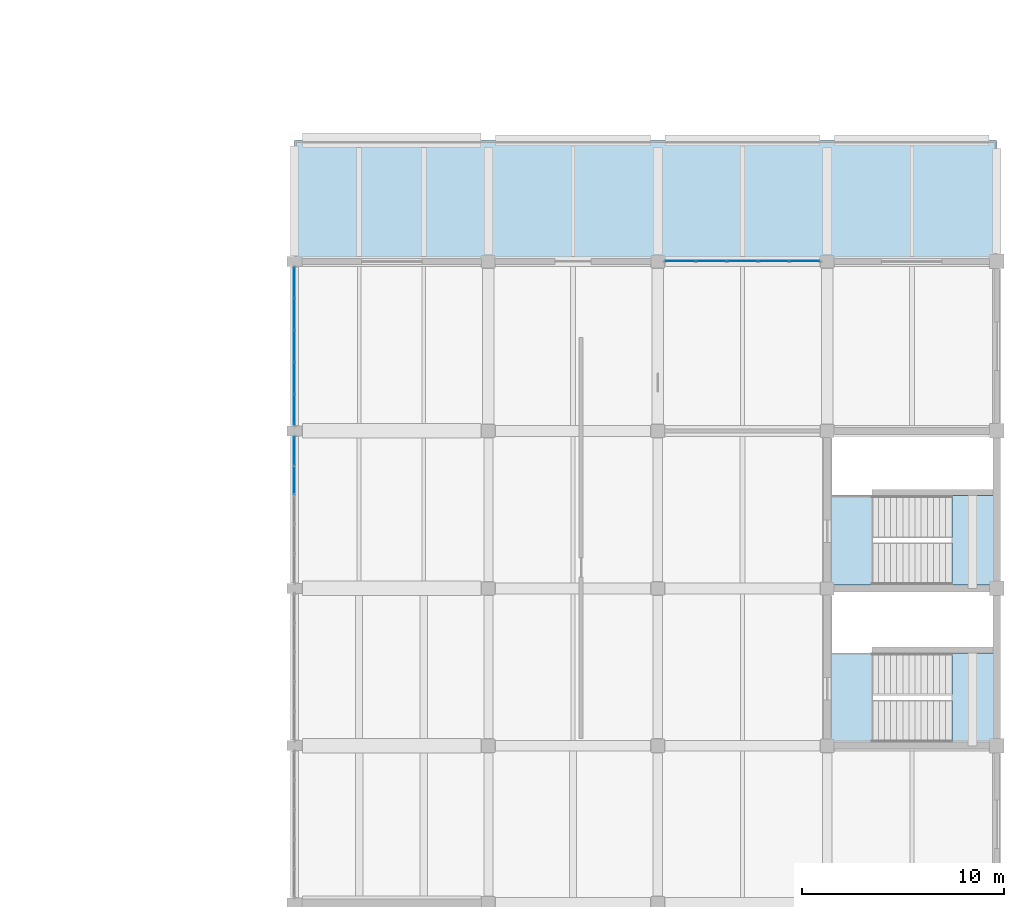
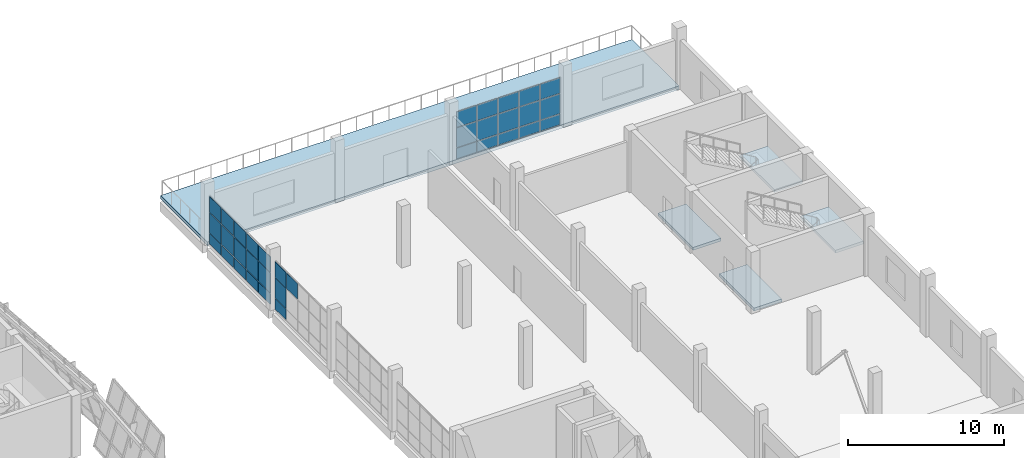
# One storey, part 59 of 79: 34 plates, 5 slabs, 5 elements without a shape of their own.
"""IFC4 building model written with IfcOpenShell, lengths in metres."""

import ifcopenshell
import ifcopenshell.guid

model = None  # the IFC model being written
_history = None  # IfcOwnerHistory: only IFC2X3 demands one
_inside = {}  # id of a spatial element -> (the spatial element, [elements in it])
_under = {}  # id of a project, library or spatial element -> (it, [spatial elements below it])
_declared = {}  # id of a project -> (the project, [libraries it declares])
_typed = {}  # id of a type object -> (the type object, [elements of that type])
_made_of = {}  # id of a material, layer set ... -> (it, [elements and type objects made of it])


def new_model(schema):
    """Start an empty IFC model of exactly this schema.

    Asked for "IFC4X3", IfcOpenShell would pick the latest addendum, in which some entities
    have other attributes; the version numbers below select the first issue.
    IFC2X3 requires an IfcOwnerHistory on every rooted entity: one is made here for all.
    """
    global model, _history
    if schema == "IFC4X3":
        model = ifcopenshell.file(schema_version=(4, 3, 0, 0))
    else:
        model = ifcopenshell.file(schema=schema)
    _inside.clear()
    _under.clear()
    _declared.clear()
    _typed.clear()
    _made_of.clear()
    _history = None
    if model.schema == "IFC2X3":
        org = make("IfcOrganization", Name="unknown")
        user = make(
            "IfcPersonAndOrganization",
            ThePerson=make("IfcPerson", FamilyName="unknown"),
            TheOrganization=org,
        )
        app = make(
            "IfcApplication",
            ApplicationDeveloper=org,
            Version="unknown",
            ApplicationFullName="unknown",
            ApplicationIdentifier="unknown",
        )
        _history = make(
            "IfcOwnerHistory",
            OwningUser=user,
            OwningApplication=app,
            ChangeAction="ADDED",
            CreationDate=0,
        )
    return model


def make(cls, **values):
    """One entity of the class cls with the attributes given. An attribute that is None is left unset."""
    return model.create_entity(
        cls, **{name: value for name, value in values.items() if value is not None}
    )


def rooted(cls, **values):
    """An entity with a GlobalId (a new one), such as an element, a storey or a relation."""
    return make(cls, GlobalId=ifcopenshell.guid.new(), OwnerHistory=_history, **values)


def si_unit(unit_type, name, prefix=None):
    """IfcSIUnit, for example si_unit("LENGTHUNIT", "METRE", prefix="MILLI")."""
    return make("IfcSIUnit", UnitType=unit_type, Prefix=prefix, Name=name)


def assignment(units):
    """IfcUnitAssignment: the units of a project."""
    return None if units is None else make("IfcUnitAssignment", Units=units)


def point(xyz):
    """IfcCartesianPoint."""
    return None if xyz is None else make("IfcCartesianPoint", Coordinates=xyz)


def direction(xyz):
    """IfcDirection."""
    return None if xyz is None else make("IfcDirection", DirectionRatios=xyz)


def frame(location, z_axis=None, x_axis=None):
    """IfcAxis2Placement3D, a coordinate frame: its origin and axes. An axis left out is left unset."""
    return make(
        "IfcAxis2Placement3D",
        Location=point(location),
        Axis=direction(z_axis),
        RefDirection=direction(x_axis),
    )


def origin():
    """The frame at (0, 0, 0) with its axes left unset."""
    return frame((0.0, 0.0, 0.0))


def place(relative_to, where):
    """IfcLocalPlacement: puts the frame where relative to a parent placement (None: the world)."""
    return make(
        "IfcLocalPlacement", PlacementRelTo=relative_to, RelativePlacement=where
    )


def context(
    kind, dimensions, precision=None, world=None, true_north=None, identifier=None
):
    """IfcGeometricRepresentationContext, for example the 3D "Model" context."""
    return make(
        "IfcGeometricRepresentationContext",
        ContextIdentifier=identifier,
        ContextType=kind,
        CoordinateSpaceDimension=dimensions,
        Precision=precision,
        WorldCoordinateSystem=world,
        TrueNorth=true_north,
    )


def subcontext(parent, identifier, kind, view, scale=None):
    """IfcGeometricRepresentationSubContext, for example "Body" below "Model"."""
    return make(
        "IfcGeometricRepresentationSubContext",
        ContextIdentifier=identifier,
        ContextType=kind,
        ParentContext=parent,
        TargetScale=scale,
        TargetView=view,
    )


def project(units=None, contexts=None):
    """IfcProject with its units and contexts."""
    return rooted(
        "IfcProject",
        Name="project",
        RepresentationContexts=contexts,
        UnitsInContext=assignment(units),
    )


def spatial(cls, under=None, at=None, **own):
    """A site, building, storey or space (cls), placed at a placement, below another one or the project."""
    s = rooted(cls, ObjectPlacement=at, **own)
    if under is not None:
        _under.setdefault(under.id(), (under, []))[1].append(s)
    return s


def polyline(points):
    """IfcPolyline through the points."""
    return make("IfcPolyline", Points=[point(p) for p in points])


def outline(outer, holes=None, kind="AREA"):
    """IfcArbitraryClosedProfileDef: a profile drawn as a closed curve; with holes, ...WithVoids."""
    if holes is None:
        return make("IfcArbitraryClosedProfileDef", ProfileType=kind, OuterCurve=outer)
    return make(
        "IfcArbitraryProfileDefWithVoids",
        ProfileType=kind,
        OuterCurve=outer,
        InnerCurves=holes,
    )


def extrude(swept, where, along, depth):
    """IfcExtrudedAreaSolid: the profile swept, set in the frame where, extruded along a direction by depth."""
    return make(
        "IfcExtrudedAreaSolid",
        SweptArea=swept,
        Position=where,
        ExtrudedDirection=direction(along),
        Depth=depth,
    )


def shape(context_of_items, identifier, shape_type, items):
    """IfcShapeRepresentation: the items that make up one representation, for example the "Body"."""
    return make(
        "IfcShapeRepresentation",
        ContextOfItems=context_of_items,
        RepresentationIdentifier=identifier,
        RepresentationType=shape_type,
        Items=items,
    )


def material(Name=None, Category=None):
    """IfcMaterial."""
    return make("IfcMaterial", Name=Name, Category=Category)


def layer(
    of_material, thickness, ventilated=None, Name=None, Category=None, Priority=None
):
    """IfcMaterialLayer: one layer of a wall or slab, of a material (None: an air gap)."""
    return make(
        "IfcMaterialLayer",
        Material=of_material,
        LayerThickness=thickness,
        IsVentilated=ventilated,
        Name=Name,
        Category=Category,
        Priority=Priority,
    )


def layer_set(layers, Name=None):
    """IfcMaterialLayerSet."""
    return make("IfcMaterialLayerSet", MaterialLayers=layers, LayerSetName=Name)


def made_of(thing, what):
    """Note that an element or type object is made of a material, layer set ...; save() writes the relation."""
    if what is not None:
        _made_of.setdefault(what.id(), (what, []))[1].append(thing)
    return thing


def type_object(cls, material=None, **own):
    """A type object (cls), such as IfcWallType, which elements share."""
    return made_of(rooted(cls, **own), material)


def element(
    cls,
    number,
    at=None,
    inside=None,
    cuts=None,
    type_object=None,
    material=None,
    context=None,
    identifier="Body",
    shape_type=None,
    held_by="IfcProductDefinitionShape",
    body=None,
    shapes=None,
    **own,
):
    """One element of the class cls, such as IfcWall. Its Tag is "e" and its number.

    at: its placement. inside: the storey or other place that contains it. cuts: it is an
    opening in that element (IfcRelVoidsElement). A single representation is given by context,
    identifier, shape_type and body (its items); several are given by shapes. held_by: the class
    of the entity that holds the representations. save() writes the other relations.
    """
    e = rooted(cls, Tag="e%d" % number, ObjectPlacement=at, **own)
    if body is not None:
        shapes = [shape(context, identifier, shape_type, body)]
    if shapes is not None:
        e.Representation = make(held_by, Representations=shapes)
    if inside is not None:
        _inside.setdefault(inside.id(), (inside, []))[1].append(e)
    if cuts is not None:
        rooted(
            "IfcRelVoidsElement", RelatingBuildingElement=cuts, RelatedOpeningElement=e
        )
    if type_object is not None:
        _typed.setdefault(type_object.id(), (type_object, []))[1].append(e)
    return made_of(e, material)


def aggregate(whole, parts):
    """IfcRelAggregates: a whole, such as a stair, and the parts it consists of."""
    return rooted("IfcRelAggregates", RelatingObject=whole, RelatedObjects=parts)


def save(model, path):
    """Write the relations noted so far, then the file.

    IfcRelAggregates (storeys below a building ...), IfcRelContainedInSpatialStructure (elements
    in a storey), IfcRelDefinesByType, IfcRelAssociatesMaterial and IfcRelDeclares: one each for
    every whole, place, type object, material and project.
    """
    for whole, parts in _under.values():
        aggregate(whole, parts)
    for where, things in _inside.values():
        rooted(
            "IfcRelContainedInSpatialStructure",
            RelatedElements=things,
            RelatingStructure=where,
        )
    for kind, things in _typed.values():
        rooted("IfcRelDefinesByType", RelatedObjects=things, RelatingType=kind)
    for what, things in _made_of.values():
        rooted("IfcRelAssociatesMaterial", RelatedObjects=things, RelatingMaterial=what)
    for by, libraries in _declared.values():
        rooted("IfcRelDeclares", RelatingContext=by, RelatedDefinitions=libraries)
    model.write(path)


model = new_model("IFC4")

# Units and contexts
model_context = context("Model", 3, precision=1e-05, world=origin(), true_north=direction((0.0, 1.0)))
body_context = subcontext(model_context, "Body", "Model", "MODEL_VIEW")
ifc_project = project(units=[si_unit("LENGTHUNIT", "METRE"), si_unit("AREAUNIT", "SQUARE_METRE"), si_unit("VOLUMEUNIT", "CUBIC_METRE"), si_unit("PLANEANGLEUNIT", "RADIAN"), si_unit("MASSUNIT", "GRAM", prefix="KILO")], contexts=[model_context])

# Site, building, storey
site_placement = place(None, origin())
site = spatial("IfcSite", under=ifc_project, at=site_placement, CompositionType="ELEMENT")
building_placement = place(site_placement, origin())
building = spatial("IfcBuilding", under=site, at=building_placement, Name="Pellamere Symphony Hall", CompositionType="ELEMENT")
storey_placement = place(building_placement, frame((0.0, 0.0, 10.199951171875)))
storey = spatial("IfcBuildingStorey", under=building, at=storey_placement, Name="L02", CompositionType="ELEMENT", Elevation=10.199951171875)

# Curtain wall, plates
ifc_material_1 = material(Name="Thermally Broken Anodised Aluminium 6063-T6 Curtain Wall", Category="aluminium")
curtain_wall_type = type_object("IfcCurtainWallType", Name="Curtain Wall CW-05 (Artists Wing North Studio Ribbon Curtain Wall)", PredefinedType="NOTDEFINED", material=ifc_material_1)
curtain_wall_1_placement = place(storey_placement, origin())
curtain_wall_1 = element("IfcCurtainWall", 1, at=curtain_wall_1_placement, inside=storey, type_object=curtain_wall_type, Name="Artists Wing North Studio Curtain Wall (L02 Bay 2)", PredefinedType="NOTDEFINED")
ifc_material_2 = material(Name="Triple Low-E Argon Acoustic Glazing 36mm", Category="glass")
ifc_layer_1 = layer(ifc_material_2, 0.035888671875, Name="Triple Low-E Argon Acoustic Glazing 36mm")
ifc_layer_set_1 = layer_set([ifc_layer_1], Name="Triple Low-E Argon Acoustic Glazing 36mm")
plate_type = type_object("IfcPlateType", Name="Facade Panel GL-01 36mm", PredefinedType="CURTAIN_PANEL", material=ifc_layer_set_1)
plate_1_placement = place(storey_placement, frame((156.385009765625, 93.60009765625, 0.06005859375), z_axis=(0.0, -1.0, 0.0), x_axis=(1.0, 0.0, 0.0)))
plate_1 = element("IfcPlate", 2, at=plate_1_placement, type_object=plate_type, Name="CW5-136 crystal glass panel 1.1", PredefinedType="CURTAIN_PANEL", context=body_context, shape_type="SweptSolid", body=[
    extrude(outline(polyline([(0.0, 0.0), (1.4599609375, 0.0), (1.4599609375, 0.814697265625), (0.0, 0.814697265625), (0.0, 0.0)])), origin(), (0.0, 0.0, -1.0), 0.035888671875),
])
plate_2_placement = place(storey_placement, frame((156.385009765625, 93.60009765625, 0.934814453125), z_axis=(0.0, -1.0, 0.0), x_axis=(1.0, 0.0, 0.0)))
plate_2 = element("IfcPlate", 3, at=plate_2_placement, type_object=plate_type, Name="CW5-136 crystal glass panel 1.2", PredefinedType="CURTAIN_PANEL", context=body_context, shape_type="SweptSolid", body=[
    extrude(outline(polyline([(0.0, 0.0), (1.4599609375, 0.0), (1.4599609375, 1.5234375), (0.0, 1.5234375), (0.0, 0.0)])), origin(), (0.0, 0.0, -1.0), 0.035888671875),
])
plate_3_placement = place(storey_placement, frame((156.385009765625, 93.60009765625, 2.518310546875), z_axis=(0.0, -1.0, 0.0), x_axis=(1.0, 0.0, 0.0)))
plate_3 = element("IfcPlate", 4, at=plate_3_placement, type_object=plate_type, Name="CW5-136 crystal glass panel 1.3", PredefinedType="CURTAIN_PANEL", context=body_context, shape_type="SweptSolid", body=[
    extrude(outline(polyline([(0.0, 0.0), (1.4599609375, 0.0), (1.4599609375, 1.191650390625), (0.0, 1.191650390625), (0.0, 0.0)])), origin(), (0.0, 0.0, -1.0), 0.035888671875),
])
plate_4_placement = place(storey_placement, frame((157.905029296875, 93.60009765625, 0.06005859375), z_axis=(0.0, -1.0, 0.0), x_axis=(1.0, 0.0, 0.0)))
plate_4 = element("IfcPlate", 5, at=plate_4_placement, type_object=plate_type, Name="CW5-136 crystal glass panel 2.1", PredefinedType="CURTAIN_PANEL", context=body_context, shape_type="SweptSolid", body=[
    extrude(outline(polyline([(0.0, 0.0), (1.489990234375, 0.0), (1.489990234375, 0.814697265625), (0.0, 0.814697265625), (0.0, 0.0)])), origin(), (0.0, 0.0, -1.0), 0.035888671875),
])
plate_5_placement = place(storey_placement, frame((157.905029296875, 93.60009765625, 0.934814453125), z_axis=(0.0, -1.0, 0.0), x_axis=(1.0, 0.0, 0.0)))
plate_5 = element("IfcPlate", 6, at=plate_5_placement, type_object=plate_type, Name="CW5-136 crystal glass panel 2.2", PredefinedType="CURTAIN_PANEL", context=body_context, shape_type="SweptSolid", body=[
    extrude(outline(polyline([(0.0, 0.0), (1.489990234375, 0.0), (1.489990234375, 1.5234375), (0.0, 1.5234375), (0.0, 0.0)])), origin(), (0.0, 0.0, -1.0), 0.035888671875),
])
plate_6_placement = place(storey_placement, frame((157.905029296875, 93.60009765625, 2.518310546875), z_axis=(0.0, -1.0, 0.0), x_axis=(1.0, 0.0, 0.0)))
plate_6 = element("IfcPlate", 7, at=plate_6_placement, type_object=plate_type, Name="CW5-136 crystal glass panel 2.3", PredefinedType="CURTAIN_PANEL", context=body_context, shape_type="SweptSolid", body=[
    extrude(outline(polyline([(0.0, 0.0), (1.489990234375, 0.0), (1.489990234375, 1.191650390625), (0.0, 1.191650390625), (0.0, 0.0)])), origin(), (0.0, 0.0, -1.0), 0.035888671875),
])
plate_7_placement = place(storey_placement, frame((159.455078125, 93.60009765625, 0.06005859375), z_axis=(0.0, -1.0, 0.0), x_axis=(1.0, 0.0, 0.0)))
plate_7 = element("IfcPlate", 8, at=plate_7_placement, type_object=plate_type, Name="CW5-136 crystal glass panel 3.1", PredefinedType="CURTAIN_PANEL", context=body_context, shape_type="SweptSolid", body=[
    extrude(outline(polyline([(0.0, 0.0), (1.489990234375, 0.0), (1.489990234375, 0.814697265625), (0.0, 0.814697265625), (0.0, 0.0)])), origin(), (0.0, 0.0, -1.0), 0.035888671875),
])
plate_8_placement = place(storey_placement, frame((159.455078125, 93.60009765625, 0.934814453125), z_axis=(0.0, -1.0, 0.0), x_axis=(1.0, 0.0, 0.0)))
plate_8 = element("IfcPlate", 9, at=plate_8_placement, type_object=plate_type, Name="CW5-136 crystal glass panel 3.2", PredefinedType="CURTAIN_PANEL", context=body_context, shape_type="SweptSolid", body=[
    extrude(outline(polyline([(0.0, 0.0), (1.489990234375, 0.0), (1.489990234375, 1.5234375), (0.0, 1.5234375), (0.0, 0.0)])), origin(), (0.0, 0.0, -1.0), 0.035888671875),
])
plate_9_placement = place(storey_placement, frame((159.455078125, 93.60009765625, 2.518310546875), z_axis=(0.0, -1.0, 0.0), x_axis=(1.0, 0.0, 0.0)))
plate_9 = element("IfcPlate", 10, at=plate_9_placement, type_object=plate_type, Name="CW5-136 crystal glass panel 3.3", PredefinedType="CURTAIN_PANEL", context=body_context, shape_type="SweptSolid", body=[
    extrude(outline(polyline([(0.0, 0.0), (1.489990234375, 0.0), (1.489990234375, 1.191650390625), (0.0, 1.191650390625), (0.0, 0.0)])), origin(), (0.0, 0.0, -1.0), 0.035888671875),
])
plate_10_placement = place(storey_placement, frame((161.0048828125, 93.60009765625, 0.06005859375), z_axis=(0.0, -1.0, 0.0), x_axis=(1.0, 0.0, 0.0)))
plate_10 = element("IfcPlate", 11, at=plate_10_placement, type_object=plate_type, Name="CW5-136 crystal glass panel 4.1", PredefinedType="CURTAIN_PANEL", context=body_context, shape_type="SweptSolid", body=[
    extrude(outline(polyline([(0.0, 0.0), (1.490234375, 0.0), (1.490234375, 0.814697265625), (0.0, 0.814697265625), (0.0, 0.0)])), origin(), (0.0, 0.0, -1.0), 0.035888671875),
])
plate_11_placement = place(storey_placement, frame((161.0048828125, 93.60009765625, 0.934814453125), z_axis=(0.0, -1.0, 0.0), x_axis=(1.0, 0.0, 0.0)))
plate_11 = element("IfcPlate", 12, at=plate_11_placement, type_object=plate_type, Name="CW5-136 crystal glass panel 4.2", PredefinedType="CURTAIN_PANEL", context=body_context, shape_type="SweptSolid", body=[
    extrude(outline(polyline([(0.0, 0.0), (1.490234375, 0.0), (1.490234375, 1.5234375), (0.0, 1.5234375), (0.0, 0.0)])), origin(), (0.0, 0.0, -1.0), 0.035888671875),
])
plate_12_placement = place(storey_placement, frame((161.0048828125, 93.60009765625, 2.518310546875), z_axis=(0.0, -1.0, 0.0), x_axis=(1.0, 0.0, 0.0)))
plate_12 = element("IfcPlate", 13, at=plate_12_placement, type_object=plate_type, Name="CW5-136 crystal glass panel 4.3", PredefinedType="CURTAIN_PANEL", context=body_context, shape_type="SweptSolid", body=[
    extrude(outline(polyline([(0.0, 0.0), (1.490234375, 0.0), (1.490234375, 1.191650390625), (0.0, 1.191650390625), (0.0, 0.0)])), origin(), (0.0, 0.0, -1.0), 0.035888671875),
])
plate_13_placement = place(storey_placement, frame((162.554931640625, 93.60009765625, 0.06005859375), z_axis=(0.0, -1.0, 0.0), x_axis=(1.0, 0.0, 0.0)))
plate_13 = element("IfcPlate", 14, at=plate_13_placement, type_object=plate_type, Name="CW5-136 crystal glass panel 5.1", PredefinedType="CURTAIN_PANEL", context=body_context, shape_type="SweptSolid", body=[
    extrude(outline(polyline([(0.0, 0.0), (1.4599609375, 0.0), (1.4599609375, 0.814697265625), (0.0, 0.814697265625), (0.0, 0.0)])), origin(), (0.0, 0.0, -1.0), 0.035888671875),
])
plate_14_placement = place(storey_placement, frame((162.554931640625, 93.60009765625, 0.934814453125), z_axis=(0.0, -1.0, 0.0), x_axis=(1.0, 0.0, 0.0)))
plate_14 = element("IfcPlate", 15, at=plate_14_placement, type_object=plate_type, Name="CW5-136 crystal glass panel 5.2", PredefinedType="CURTAIN_PANEL", context=body_context, shape_type="SweptSolid", body=[
    extrude(outline(polyline([(0.0, 0.0), (1.4599609375, 0.0), (1.4599609375, 1.5234375), (0.0, 1.5234375), (0.0, 0.0)])), origin(), (0.0, 0.0, -1.0), 0.035888671875),
])
plate_15_placement = place(storey_placement, frame((162.554931640625, 93.60009765625, 2.518310546875), z_axis=(0.0, -1.0, 0.0), x_axis=(1.0, 0.0, 0.0)))
plate_15 = element("IfcPlate", 16, at=plate_15_placement, type_object=plate_type, Name="CW5-136 crystal glass panel 5.3", PredefinedType="CURTAIN_PANEL", context=body_context, shape_type="SweptSolid", body=[
    extrude(outline(polyline([(0.0, 0.0), (1.4599609375, 0.0), (1.4599609375, 1.191650390625), (0.0, 1.191650390625), (0.0, 0.0)])), origin(), (0.0, 0.0, -1.0), 0.035888671875),
])
aggregate(curtain_wall_1, [plate_1, plate_2, plate_3, plate_4, plate_5, plate_6, plate_7, plate_8, plate_9, plate_10, plate_11, plate_12, plate_13, plate_14, plate_15])

curtain_wall_2_placement = place(storey_placement, origin())
curtain_wall_2 = element("IfcCurtainWall", 17, at=curtain_wall_2_placement, inside=storey, type_object=curtain_wall_type, Name="Sculpture Court East Wing Curtain Wall (L02 Bay 3)", PredefinedType="NOTDEFINED")
plate_16_placement = place(storey_placement, frame((138.0, 82.06005859375, 2.55126953125), z_axis=(1.0, 0.0, 0.0), x_axis=(0.0, 1.0, 0.0)))
plate_16 = element("IfcPlate", 18, at=plate_16_placement, type_object=plate_type, Name="CW5-139 crystal glass panel 4.3", PredefinedType="CURTAIN_PANEL", context=body_context, shape_type="SweptSolid", body=[
    extrude(outline(polyline([(0.0, 0.0), (1.39990234375, 0.0), (1.39990234375, 1.208740234375), (0.0, 1.208740234375), (0.0, 0.0)])), origin(), (0.0, 0.0, -1.0), 0.035888671875),
])
plate_17_placement = place(storey_placement, frame((138.0, 83.52001953125, 0.06005859375), z_axis=(1.0, 0.0, 0.0), x_axis=(0.0, 1.0, 0.0)))
plate_17 = element("IfcPlate", 19, at=plate_17_placement, type_object=plate_type, Name="CW5-139 crystal glass panel 5.1", PredefinedType="CURTAIN_PANEL", context=body_context, shape_type="SweptSolid", body=[
    extrude(outline(polyline([(0.0, 0.0), (1.369873046875, 0.0), (1.369873046875, 0.826904296875), (0.0, 0.826904296875), (0.0, 0.0)])), origin(), (0.0, 0.0, -1.0), 0.035888671875),
])
plate_18_placement = place(storey_placement, frame((138.0, 83.52001953125, 0.94677734375), z_axis=(1.0, 0.0, 0.0), x_axis=(0.0, 1.0, 0.0)))
plate_18 = element("IfcPlate", 20, at=plate_18_placement, type_object=plate_type, Name="CW5-139 crystal glass panel 5.2", PredefinedType="CURTAIN_PANEL", context=body_context, shape_type="SweptSolid", body=[
    extrude(outline(polyline([(0.0, 0.0), (1.369873046875, 0.0), (1.369873046875, 1.54443359375), (0.0, 1.54443359375), (0.0, 0.0)])), origin(), (0.0, 0.0, -1.0), 0.035888671875),
])
plate_19_placement = place(storey_placement, frame((138.0, 83.52001953125, 2.55126953125), z_axis=(1.0, 0.0, 0.0), x_axis=(0.0, 1.0, 0.0)))
plate_19 = element("IfcPlate", 21, at=plate_19_placement, type_object=plate_type, Name="CW5-139 crystal glass panel 5.3", PredefinedType="CURTAIN_PANEL", context=body_context, shape_type="SweptSolid", body=[
    extrude(outline(polyline([(0.0, 0.0), (1.369873046875, 0.0), (1.369873046875, 1.208740234375), (0.0, 1.208740234375), (0.0, 0.0)])), origin(), (0.0, 0.0, -1.0), 0.035888671875),
])
aggregate(curtain_wall_2, [plate_16, plate_17, plate_18, plate_19])

curtain_wall_3_placement = place(storey_placement, origin())
curtain_wall_3 = element("IfcCurtainWall", 22, at=curtain_wall_3_placement, inside=storey, type_object=curtain_wall_type, Name="Sculpture Court East Wing Curtain Wall (L02 Bay 4)", PredefinedType="NOTDEFINED")
plate_20_placement = place(storey_placement, frame((138.0, 85.510009765625, 0.06005859375), z_axis=(1.0, 0.0, 0.0), x_axis=(0.0, 1.0, 0.0)))
plate_20 = element("IfcPlate", 23, at=plate_20_placement, type_object=plate_type, Name="CW5-140 crystal glass panel 1.1", PredefinedType="CURTAIN_PANEL", context=body_context, shape_type="SweptSolid", body=[
    extrude(outline(polyline([(0.0, 0.0), (1.489990234375, 0.0), (1.489990234375, 0.826904296875), (0.0, 0.826904296875), (0.0, 0.0)])), origin(), (0.0, 0.0, -1.0), 0.035888671875),
])
plate_21_placement = place(storey_placement, frame((138.0, 85.510009765625, 0.94677734375), z_axis=(1.0, 0.0, 0.0), x_axis=(0.0, 1.0, 0.0)))
plate_21 = element("IfcPlate", 24, at=plate_21_placement, type_object=plate_type, Name="CW5-140 crystal glass panel 1.2", PredefinedType="CURTAIN_PANEL", context=body_context, shape_type="SweptSolid", body=[
    extrude(outline(polyline([(0.0, 0.0), (1.489990234375, 0.0), (1.489990234375, 1.54443359375), (0.0, 1.54443359375), (0.0, 0.0)])), origin(), (0.0, 0.0, -1.0), 0.035888671875),
])
plate_22_placement = place(storey_placement, frame((138.0, 85.510009765625, 2.55126953125), z_axis=(1.0, 0.0, 0.0), x_axis=(0.0, 1.0, 0.0)))
plate_22 = element("IfcPlate", 25, at=plate_22_placement, type_object=plate_type, Name="CW5-140 crystal glass panel 1.3", PredefinedType="CURTAIN_PANEL", context=body_context, shape_type="SweptSolid", body=[
    extrude(outline(polyline([(0.0, 0.0), (1.489990234375, 0.0), (1.489990234375, 1.208740234375), (0.0, 1.208740234375), (0.0, 0.0)])), origin(), (0.0, 0.0, -1.0), 0.035888671875),
])
plate_23_placement = place(storey_placement, frame((138.0, 87.06005859375, 0.06005859375), z_axis=(1.0, 0.0, 0.0), x_axis=(0.0, 1.0, 0.0)))
plate_23 = element("IfcPlate", 26, at=plate_23_placement, type_object=plate_type, Name="CW5-140 crystal glass panel 2.1", PredefinedType="CURTAIN_PANEL", context=body_context, shape_type="SweptSolid", body=[
    extrude(outline(polyline([(0.0, 0.0), (1.52001953125, 0.0), (1.52001953125, 0.826904296875), (0.0, 0.826904296875), (0.0, 0.0)])), origin(), (0.0, 0.0, -1.0), 0.035888671875),
])
plate_24_placement = place(storey_placement, frame((138.0, 87.06005859375, 0.94677734375), z_axis=(1.0, 0.0, 0.0), x_axis=(0.0, 1.0, 0.0)))
plate_24 = element("IfcPlate", 27, at=plate_24_placement, type_object=plate_type, Name="CW5-140 crystal glass panel 2.2", PredefinedType="CURTAIN_PANEL", context=body_context, shape_type="SweptSolid", body=[
    extrude(outline(polyline([(0.0, 0.0), (1.52001953125, 0.0), (1.52001953125, 1.54443359375), (0.0, 1.54443359375), (0.0, 0.0)])), origin(), (0.0, 0.0, -1.0), 0.035888671875),
])
plate_25_placement = place(storey_placement, frame((138.0, 87.06005859375, 2.55126953125), z_axis=(1.0, 0.0, 0.0), x_axis=(0.0, 1.0, 0.0)))
plate_25 = element("IfcPlate", 28, at=plate_25_placement, type_object=plate_type, Name="CW5-140 crystal glass panel 2.3", PredefinedType="CURTAIN_PANEL", context=body_context, shape_type="SweptSolid", body=[
    extrude(outline(polyline([(0.0, 0.0), (1.52001953125, 0.0), (1.52001953125, 1.208740234375), (0.0, 1.208740234375), (0.0, 0.0)])), origin(), (0.0, 0.0, -1.0), 0.035888671875),
])
plate_26_placement = place(storey_placement, frame((138.0, 88.639892578125, 0.06005859375), z_axis=(1.0, 0.0, 0.0), x_axis=(0.0, 1.0, 0.0)))
plate_26 = element("IfcPlate", 29, at=plate_26_placement, type_object=plate_type, Name="CW5-140 crystal glass panel 3.1", PredefinedType="CURTAIN_PANEL", context=body_context, shape_type="SweptSolid", body=[
    extrude(outline(polyline([(0.0, 0.0), (1.52001953125, 0.0), (1.52001953125, 0.826904296875), (0.0, 0.826904296875), (0.0, 0.0)])), origin(), (0.0, 0.0, -1.0), 0.035888671875),
])
plate_27_placement = place(storey_placement, frame((138.0, 88.639892578125, 0.94677734375), z_axis=(1.0, 0.0, 0.0), x_axis=(0.0, 1.0, 0.0)))
plate_27 = element("IfcPlate", 30, at=plate_27_placement, type_object=plate_type, Name="CW5-140 crystal glass panel 3.2", PredefinedType="CURTAIN_PANEL", context=body_context, shape_type="SweptSolid", body=[
    extrude(outline(polyline([(0.0, 0.0), (1.52001953125, 0.0), (1.52001953125, 1.54443359375), (0.0, 1.54443359375), (0.0, 0.0)])), origin(), (0.0, 0.0, -1.0), 0.035888671875),
])
plate_28_placement = place(storey_placement, frame((138.0, 88.639892578125, 2.55126953125), z_axis=(1.0, 0.0, 0.0), x_axis=(0.0, 1.0, 0.0)))
plate_28 = element("IfcPlate", 31, at=plate_28_placement, type_object=plate_type, Name="CW5-140 crystal glass panel 3.3", PredefinedType="CURTAIN_PANEL", context=body_context, shape_type="SweptSolid", body=[
    extrude(outline(polyline([(0.0, 0.0), (1.52001953125, 0.0), (1.52001953125, 1.208740234375), (0.0, 1.208740234375), (0.0, 0.0)])), origin(), (0.0, 0.0, -1.0), 0.035888671875),
])
plate_29_placement = place(storey_placement, frame((138.0, 90.219970703125, 0.06005859375), z_axis=(1.0, 0.0, 0.0), x_axis=(0.0, 1.0, 0.0)))
plate_29 = element("IfcPlate", 32, at=plate_29_placement, type_object=plate_type, Name="CW5-140 crystal glass panel 4.1", PredefinedType="CURTAIN_PANEL", context=body_context, shape_type="SweptSolid", body=[
    extrude(outline(polyline([(0.0, 0.0), (1.52001953125, 0.0), (1.52001953125, 0.826904296875), (0.0, 0.826904296875), (0.0, 0.0)])), origin(), (0.0, 0.0, -1.0), 0.035888671875),
])
plate_30_placement = place(storey_placement, frame((138.0, 90.219970703125, 0.94677734375), z_axis=(1.0, 0.0, 0.0), x_axis=(0.0, 1.0, 0.0)))
plate_30 = element("IfcPlate", 33, at=plate_30_placement, type_object=plate_type, Name="CW5-140 crystal glass panel 4.2", PredefinedType="CURTAIN_PANEL", context=body_context, shape_type="SweptSolid", body=[
    extrude(outline(polyline([(0.0, 0.0), (1.52001953125, 0.0), (1.52001953125, 1.54443359375), (0.0, 1.54443359375), (0.0, 0.0)])), origin(), (0.0, 0.0, -1.0), 0.035888671875),
])
plate_31_placement = place(storey_placement, frame((138.0, 90.219970703125, 2.55126953125), z_axis=(1.0, 0.0, 0.0), x_axis=(0.0, 1.0, 0.0)))
plate_31 = element("IfcPlate", 34, at=plate_31_placement, type_object=plate_type, Name="CW5-140 crystal glass panel 4.3", PredefinedType="CURTAIN_PANEL", context=body_context, shape_type="SweptSolid", body=[
    extrude(outline(polyline([(0.0, 0.0), (1.52001953125, 0.0), (1.52001953125, 1.208740234375), (0.0, 1.208740234375), (0.0, 0.0)])), origin(), (0.0, 0.0, -1.0), 0.035888671875),
])
plate_32_placement = place(storey_placement, frame((138.0, 91.800048828125, 0.06005859375), z_axis=(1.0, 0.0, 0.0), x_axis=(0.0, 1.0, 0.0)))
plate_32 = element("IfcPlate", 35, at=plate_32_placement, type_object=plate_type, Name="CW5-140 crystal glass panel 5.1", PredefinedType="CURTAIN_PANEL", context=body_context, shape_type="SweptSolid", body=[
    extrude(outline(polyline([(0.0, 0.0), (1.489990234375, 0.0), (1.489990234375, 0.826904296875), (0.0, 0.826904296875), (0.0, 0.0)])), origin(), (0.0, 0.0, -1.0), 0.035888671875),
])
plate_33_placement = place(storey_placement, frame((138.0, 91.800048828125, 0.94677734375), z_axis=(1.0, 0.0, 0.0), x_axis=(0.0, 1.0, 0.0)))
plate_33 = element("IfcPlate", 36, at=plate_33_placement, type_object=plate_type, Name="CW5-140 crystal glass panel 5.2", PredefinedType="CURTAIN_PANEL", context=body_context, shape_type="SweptSolid", body=[
    extrude(outline(polyline([(0.0, 0.0), (1.489990234375, 0.0), (1.489990234375, 1.54443359375), (0.0, 1.54443359375), (0.0, 0.0)])), origin(), (0.0, 0.0, -1.0), 0.035888671875),
])
plate_34_placement = place(storey_placement, frame((138.0, 91.800048828125, 2.55126953125), z_axis=(1.0, 0.0, 0.0), x_axis=(0.0, 1.0, 0.0)))
plate_34 = element("IfcPlate", 37, at=plate_34_placement, type_object=plate_type, Name="CW5-140 crystal glass panel 5.3", PredefinedType="CURTAIN_PANEL", context=body_context, shape_type="SweptSolid", body=[
    extrude(outline(polyline([(0.0, 0.0), (1.489990234375, 0.0), (1.489990234375, 1.208740234375), (0.0, 1.208740234375), (0.0, 0.0)])), origin(), (0.0, 0.0, -1.0), 0.035888671875),
])
aggregate(curtain_wall_3, [plate_20, plate_21, plate_22, plate_23, plate_24, plate_25, plate_26, plate_27, plate_28, plate_29, plate_30, plate_31, plate_32, plate_33, plate_34])

# Stair, slabs
ifc_material_3 = material(Name="Concrete 40 MPa", Category="concrete")
stair_type = type_object("IfcStairType", Name="Stair ST-B W2050", PredefinedType="HALF_TURN_STAIR", material=ifc_material_3)
stair_1_placement = place(storey_placement, origin())
stair_1 = element("IfcStair", 38, at=stair_1_placement, inside=storey, type_object=stair_type, Name="Exit Stair ST05-L02 (L02 to L03)", PredefinedType="HALF_TURN_STAIR")
ifc_layer_2 = layer(ifc_material_3, 0.219970703125, Name="Concrete 40 MPa")
ifc_layer_set_2 = layer_set([ifc_layer_2], Name="Concrete 40 MPa")
slab_type_1 = type_object("IfcSlabType", Name="Stair Landing SL-01 220mm", PredefinedType="LANDING", material=ifc_layer_set_2)
slab_1_placement = place(storey_placement, frame((0.0, 0.0, -0.219970703125)))
slab_1 = element("IfcSlab", 39, at=slab_1_placement, type_object=slab_type_1, Name="Stair ST05-L02 Bottom Landing (L02)", PredefinedType="LANDING", context=body_context, shape_type="SweptSolid", body=[
    extrude(outline(polyline([(164.56005859375, 69.760009765625), (166.625, 69.760009765625), (166.625, 74.199951171875), (164.56005859375, 74.199951171875), (164.56005859375, 69.760009765625)])), origin(), (0.0, 0.0, 1.0), 0.219970703125),
])
slab_2_placement = place(storey_placement, frame((0.0, 0.0, 2.179931640625)))
slab_2 = element("IfcSlab", 40, at=slab_2_placement, type_object=slab_type_1, Name="Stair ST05-L02 Half Landing (L02)", PredefinedType="LANDING", context=body_context, shape_type="SweptSolid", body=[
    extrude(outline(polyline([(170.574951171875, 69.760009765625), (172.639892578125, 69.760009765625), (172.639892578125, 74.199951171875), (170.574951171875, 74.199951171875), (170.574951171875, 69.760009765625)])), origin(), (0.0, 0.0, 1.0), 0.22021484375),
])
aggregate(stair_1, [slab_1, slab_2])

stair_2_placement = place(storey_placement, origin())
stair_2 = element("IfcStair", 41, at=stair_2_placement, inside=storey, type_object=stair_type, Name="Exit Stair ST14-L02 (L02 to L03)", PredefinedType="HALF_TURN_STAIR")
slab_3_placement = place(storey_placement, frame((0.0, 0.0, -0.219970703125)))
slab_3 = element("IfcSlab", 42, at=slab_3_placement, type_object=slab_type_1, Name="Stair ST14-L02 Bottom Landing (L02)", PredefinedType="LANDING", context=body_context, shape_type="SweptSolid", body=[
    extrude(outline(polyline([(164.56005859375, 77.56005859375), (166.625, 77.56005859375), (166.625, 82.0), (164.56005859375, 82.0), (164.56005859375, 77.56005859375)])), origin(), (0.0, 0.0, 1.0), 0.219970703125),
])
slab_4_placement = place(storey_placement, frame((0.0, 0.0, 2.179931640625)))
slab_4 = element("IfcSlab", 43, at=slab_4_placement, type_object=slab_type_1, Name="Stair ST14-L02 Half Landing (L02)", PredefinedType="LANDING", context=body_context, shape_type="SweptSolid", body=[
    extrude(outline(polyline([(170.574951171875, 77.56005859375), (172.639892578125, 77.56005859375), (172.639892578125, 82.0), (170.574951171875, 82.0), (170.574951171875, 77.56005859375)])), origin(), (0.0, 0.0, 1.0), 0.22021484375),
])
aggregate(stair_2, [slab_3, slab_4])

# Slab
ifc_layer_3 = layer(ifc_material_3, 0.280029296875, Name="Concrete 40 MPa")
ifc_layer_set_3 = layer_set([ifc_layer_3], Name="Concrete 40 MPa")
slab_type_2 = type_object("IfcSlabType", Name="Structural Slab TS-01 280mm", PredefinedType="ROOF", material=ifc_layer_set_3)
slab_5_placement = place(storey_placement, frame((0.0, 0.0, -0.280029296875)))
element("IfcSlab", 44, at=slab_5_placement, inside=storey, type_object=slab_type_2, Name="North Artists Roof Terrace 1", PredefinedType="ROOF", context=body_context, shape_type="SweptSolid", body=[
    extrude(outline(polyline([(138.0, 93.60009765625), (138.0, 99.60009765625), (172.800048828125, 99.60009765625), (172.800048828125, 93.60009765625), (138.0, 93.60009765625)])), origin(), (0.0, 0.0, 1.0), 0.280029296875),
])

save(model, "model.ifc")
